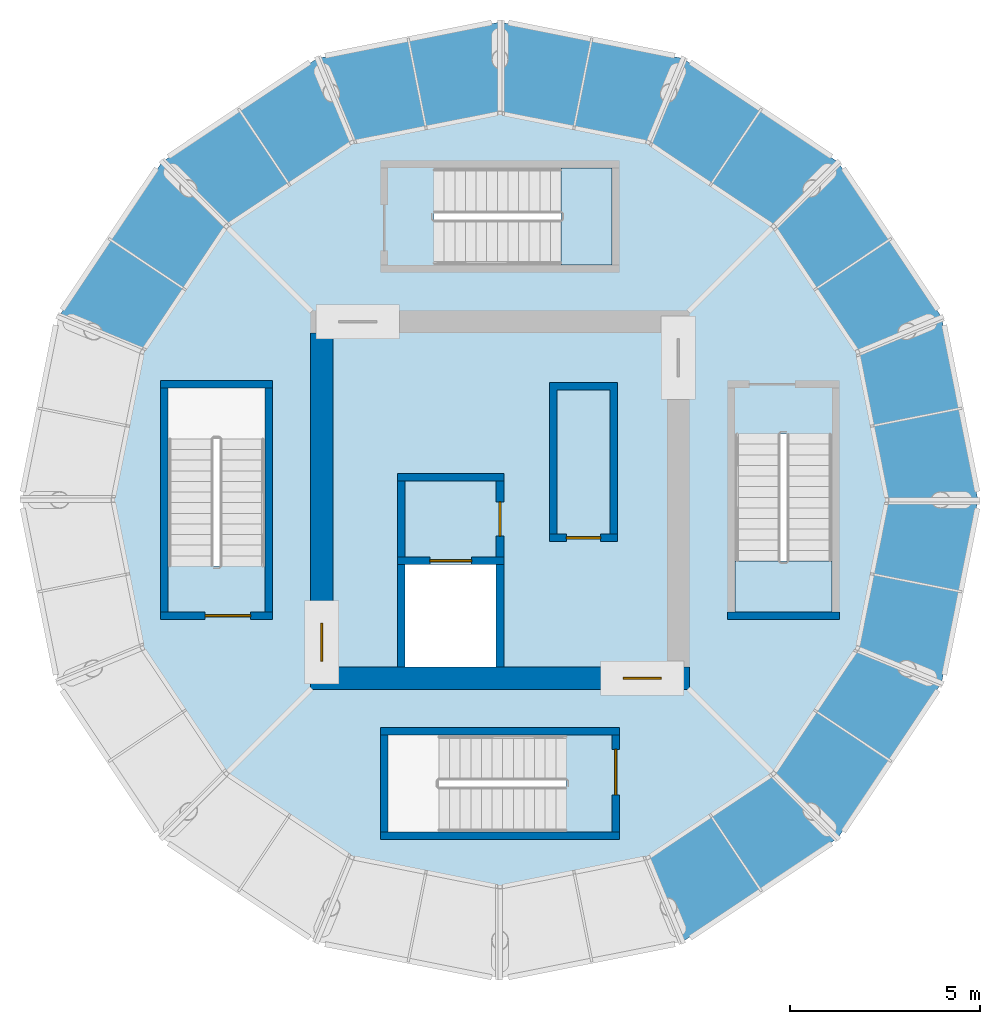
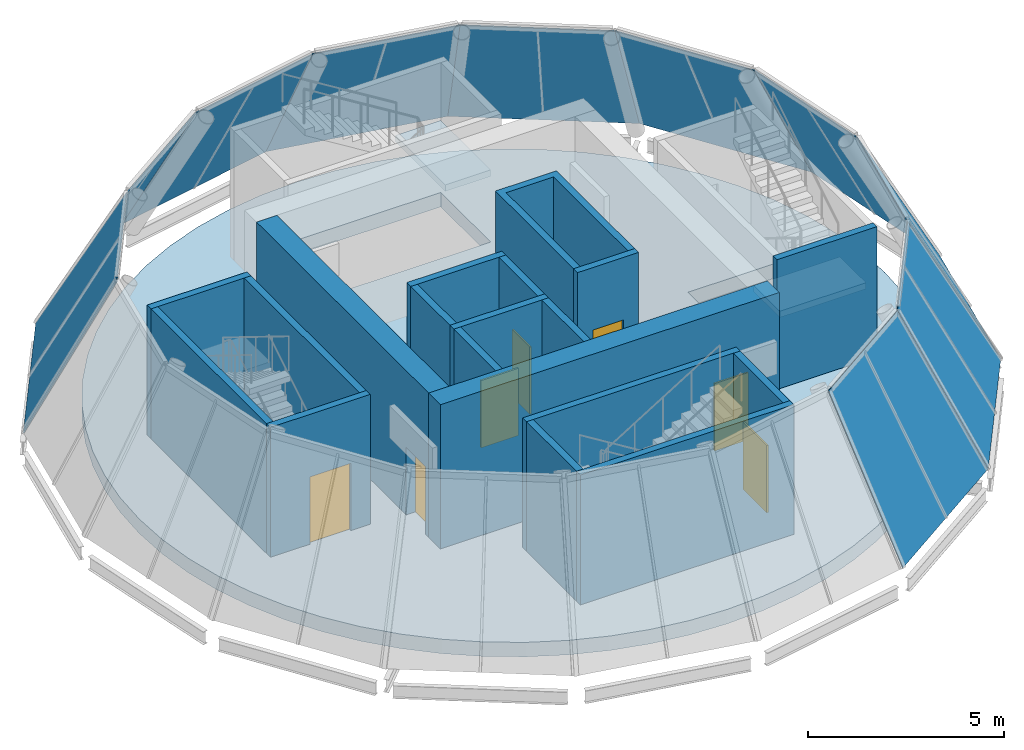
# One storey, part 3 of 5: 19 walls, 10 plates, 7 doors, 3 slabs, 7 openings, 12 elements without a shape of their own.
"""IFC4 building model written with IfcOpenShell, lengths in metres."""

from ifc_helpers import new_model, si_unit, direction, frame, frame_2d, origin, place, context, subcontext, project, spatial, polyline, rectangle, outline, extrude, material, layer, layer_set, type_object, element, fill, aggregate, save


model = new_model("IFC4")

# Units and contexts
model_context = context("Model", 3, precision=1e-05, world=origin(), true_north=direction((0.0, 1.0)))
body_context = subcontext(model_context, "Body", "Model", "MODEL_VIEW")
ifc_project = project(units=[si_unit("LENGTHUNIT", "METRE"), si_unit("AREAUNIT", "SQUARE_METRE"), si_unit("VOLUMEUNIT", "CUBIC_METRE"), si_unit("PLANEANGLEUNIT", "RADIAN"), si_unit("MASSUNIT", "GRAM", prefix="KILO")], contexts=[model_context])

# Site, building, storey
site_placement = place(None, origin())
site = spatial("IfcSite", under=ifc_project, at=site_placement, CompositionType="ELEMENT")
building_placement = place(site_placement, origin())
building = spatial("IfcBuilding", under=site, at=building_placement, Name="Corvane Civic Tower", CompositionType="ELEMENT")
storey_placement = place(building_placement, frame((0.0, 0.0, 402.0)))
storey = spatial("IfcBuildingStorey", under=building, at=storey_placement, Name="L95", CompositionType="ELEMENT", Elevation=402.0)

# Curtain wall, plate
ifc_material_1 = material(Name="Aluminium and glass", Category="aluminium")
curtain_wall_type = type_object("IfcCurtainWallType", Name="CROWN-CW-K-FACET", PredefinedType="NOTDEFINED", material=ifc_material_1)
curtain_wall_1_placement = place(storey_placement, origin())
curtain_wall_1 = element("IfcCurtainWall", 1, at=curtain_wall_1_placement, inside=storey, type_object=curtain_wall_type, Name="Glass cone facet 1 row 4", PredefinedType="NOTDEFINED")
ifc_material_2 = material(Name="Glass tinted low-e laminated", Category="glass")
ifc_layer_1 = layer(ifc_material_2, 0.030029296875)
ifc_layer_set_1 = layer_set([ifc_layer_1], Name="Glass tinted low-e laminated")
plate_type = type_object("IfcPlateType", Name="CROWN-CWK-PANEL-IGU30", PredefinedType="CURTAIN_PANEL", material=ifc_layer_set_1)
plate_1_placement = place(storey_placement, frame((0.0, 12.60009765625, 0.0), z_axis=(-0.172873929257, 0.869062946093, 0.463512891203), x_axis=(-0.980783186478, -0.195100848482, 6.634058e-06)))
plate_1 = element("IfcPlate", 2, at=plate_1_placement, type_object=plate_type, Name="Cone glass panel 1.4", PredefinedType="CURTAIN_PANEL", context=body_context, shape_type="SweptSolid", body=[
    extrude(outline(polyline([(0.0, 0.0), (4.916264444976267, 0.0), (4.448081299795176, 5.078456588373711), (0.46830046884297855, 5.078523192069519), (0.0, 0.0)])), origin(), (0.0, 0.0, -1.0), 0.030029296875),
])
aggregate(curtain_wall_1, [plate_1])

curtain_wall_2_placement = place(storey_placement, origin())
curtain_wall_2 = element("IfcCurtainWall", 3, at=curtain_wall_2_placement, inside=storey, type_object=curtain_wall_type, Name="Glass cone facet 2 row 4", PredefinedType="NOTDEFINED")
plate_2_placement = place(storey_placement, frame((-4.82177734375, 11.640869140625, 0.0), z_axis=(-0.492309451044, 0.736749787022, 0.463498819563), x_axis=(-0.831454372894, -0.555593039729, 4.48339e-07)))
plate_2 = element("IfcPlate", 4, at=plate_2_placement, type_object=plate_type, Name="Cone glass panel 2.4", PredefinedType="CURTAIN_PANEL", context=body_context, shape_type="SweptSolid", body=[
    extrude(outline(polyline([(0.0, 0.0), (4.91626354830362, 2.220446049250313e-16), (4.448122956740347, 5.078445453420645), (0.468255102484905, 5.0784499545976995), (0.0, 0.0)])), origin(), (0.0, 0.0, -1.0), 0.030029296875),
])
aggregate(curtain_wall_2, [plate_2])

curtain_wall_3_placement = place(storey_placement, origin())
curtain_wall_3 = element("IfcCurtainWall", 5, at=curtain_wall_3_placement, inside=storey, type_object=curtain_wall_type, Name="Glass cone facet 3 row 4", PredefinedType="NOTDEFINED")
plate_3_placement = place(storey_placement, frame((-8.909423828125, 8.909423828125, 0.0), z_axis=(-0.736749787022, 0.492309451044, 0.463498819563), x_axis=(-0.555593039729, -0.831454372894, -4.48339e-07)))
plate_3 = element("IfcPlate", 6, at=plate_3_placement, type_object=plate_type, Name="Cone glass panel 3.4", PredefinedType="CURTAIN_PANEL", context=body_context, shape_type="SweptSolid", body=[
    extrude(outline(polyline([(0.0, 0.0), (4.91626354830362, -2.220446049250313e-16), (4.448008445818715, 5.0784499545976995), (0.46814059156327315, 5.078445453420645), (0.0, 0.0)])), origin(), (0.0, 0.0, -1.0), 0.030029296875),
])
aggregate(curtain_wall_3, [plate_3])

curtain_wall_4_placement = place(storey_placement, origin())
curtain_wall_4 = element("IfcCurtainWall", 7, at=curtain_wall_4_placement, inside=storey, type_object=curtain_wall_type, Name="Glass cone facet 10 row 4", PredefinedType="NOTDEFINED")
plate_4_placement = place(storey_placement, frame((4.82177734375, -11.640869140625, 0.0), z_axis=(0.492309451044, -0.736749787022, 0.463498819563), x_axis=(0.831454372894, 0.555593039729, 4.48339e-07)))
plate_4 = element("IfcPlate", 8, at=plate_4_placement, type_object=plate_type, Name="Cone glass panel 10.4", PredefinedType="CURTAIN_PANEL", context=body_context, shape_type="SweptSolid", body=[
    extrude(outline(polyline([(0.0, 0.0), (4.91626354830362, 2.220446049250313e-16), (4.448122956740347, 5.078445453420645), (0.468255102484905, 5.0784499545976995), (0.0, 0.0)])), origin(), (0.0, 0.0, -1.0), 0.030029296875),
])
aggregate(curtain_wall_4, [plate_4])

curtain_wall_5_placement = place(storey_placement, origin())
curtain_wall_5 = element("IfcCurtainWall", 9, at=curtain_wall_5_placement, inside=storey, type_object=curtain_wall_type, Name="Glass cone facet 11 row 4", PredefinedType="NOTDEFINED")
plate_5_placement = place(storey_placement, frame((8.909423828125, -8.909423828125, 0.0), z_axis=(0.736749787022, -0.492309451044, 0.463498819563), x_axis=(0.555593039729, 0.831454372894, -4.48339e-07)))
plate_5 = element("IfcPlate", 10, at=plate_5_placement, type_object=plate_type, Name="Cone glass panel 11.4", PredefinedType="CURTAIN_PANEL", context=body_context, shape_type="SweptSolid", body=[
    extrude(outline(polyline([(0.0, 0.0), (4.91626354830362, -2.220446049250313e-16), (4.448008445818715, 5.0784499545976995), (0.46814059156327315, 5.078445453420645), (0.0, 0.0)])), origin(), (0.0, 0.0, -1.0), 0.030029296875),
])
aggregate(curtain_wall_5, [plate_5])

curtain_wall_6_placement = place(storey_placement, origin())
curtain_wall_6 = element("IfcCurtainWall", 11, at=curtain_wall_6_placement, inside=storey, type_object=curtain_wall_type, Name="Glass cone facet 12 row 4", PredefinedType="NOTDEFINED")
plate_6_placement = place(storey_placement, frame((11.640869140625, -4.82177734375, 0.0), z_axis=(0.869067789052, -0.172899210369, 0.463494380858), x_axis=(0.19512157593, 0.980779063086, 4.420688e-06)))
plate_6 = element("IfcPlate", 12, at=plate_6_placement, type_object=plate_type, Name="Cone glass panel 12.4", PredefinedType="CURTAIN_PANEL", context=body_context, shape_type="SweptSolid", body=[
    extrude(outline(polyline([(0.0, 0.0), (4.9162644452562025, -5.551115123125783e-17), (4.448011610959851, 5.0784122066361945), (0.46818314571430203, 5.078456588595548), (0.0, 0.0)])), origin(), (0.0, 0.0, -1.0), 0.030029296875),
])
aggregate(curtain_wall_6, [plate_6])

curtain_wall_7_placement = place(storey_placement, origin())
curtain_wall_7 = element("IfcCurtainWall", 13, at=curtain_wall_7_placement, inside=storey, type_object=curtain_wall_type, Name="Glass cone facet 13 row 4", PredefinedType="NOTDEFINED")
plate_7_placement = place(storey_placement, frame((12.60009765625, 0.0, 0.0), z_axis=(0.869062946093, 0.172873929257, 0.463512891203), x_axis=(-0.195100848482, 0.980783186478, 6.634058e-06)))
plate_7 = element("IfcPlate", 14, at=plate_7_placement, type_object=plate_type, Name="Cone glass panel 13.4", PredefinedType="CURTAIN_PANEL", context=body_context, shape_type="SweptSolid", body=[
    extrude(outline(polyline([(0.0, 0.0), (4.916264444976267, 0.0), (4.448081299795176, 5.078456588373711), (0.46830046884297855, 5.078523192069519), (0.0, 0.0)])), origin(), (0.0, 0.0, -1.0), 0.030029296875),
])
aggregate(curtain_wall_7, [plate_7])

curtain_wall_8_placement = place(storey_placement, origin())
curtain_wall_8 = element("IfcCurtainWall", 15, at=curtain_wall_8_placement, inside=storey, type_object=curtain_wall_type, Name="Glass cone facet 14 row 4", PredefinedType="NOTDEFINED")
plate_8_placement = place(storey_placement, frame((11.640869140625, 4.82177734375, 0.0), z_axis=(0.736749787022, 0.492309451044, 0.463498819563), x_axis=(-0.555593039729, 0.831454372894, 4.48339e-07)))
plate_8 = element("IfcPlate", 16, at=plate_8_placement, type_object=plate_type, Name="Cone glass panel 14.4", PredefinedType="CURTAIN_PANEL", context=body_context, shape_type="SweptSolid", body=[
    extrude(outline(polyline([(0.0, 0.0), (4.91626354830362, 2.220446049250313e-16), (4.448122956740347, 5.078445453420645), (0.468255102484905, 5.0784499545976995), (0.0, 0.0)])), origin(), (0.0, 0.0, -1.0), 0.030029296875),
])
aggregate(curtain_wall_8, [plate_8])

curtain_wall_9_placement = place(storey_placement, origin())
curtain_wall_9 = element("IfcCurtainWall", 17, at=curtain_wall_9_placement, inside=storey, type_object=curtain_wall_type, Name="Glass cone facet 15 row 4", PredefinedType="NOTDEFINED")
plate_9_placement = place(storey_placement, frame((8.909423828125, 8.909423828125, 0.0), z_axis=(0.492309451044, 0.736749787022, 0.463498819563), x_axis=(-0.831454372894, 0.555593039729, -4.48339e-07)))
plate_9 = element("IfcPlate", 18, at=plate_9_placement, type_object=plate_type, Name="Cone glass panel 15.4", PredefinedType="CURTAIN_PANEL", context=body_context, shape_type="SweptSolid", body=[
    extrude(outline(polyline([(0.0, 0.0), (4.91626354830362, -2.220446049250313e-16), (4.448008445818715, 5.0784499545976995), (0.46814059156327315, 5.078445453420645), (0.0, 0.0)])), origin(), (0.0, 0.0, -1.0), 0.030029296875),
])
aggregate(curtain_wall_9, [plate_9])

curtain_wall_10_placement = place(storey_placement, origin())
curtain_wall_10 = element("IfcCurtainWall", 19, at=curtain_wall_10_placement, inside=storey, type_object=curtain_wall_type, Name="Glass cone facet 16 row 4", PredefinedType="NOTDEFINED")
plate_10_placement = place(storey_placement, frame((4.82177734375, 11.640869140625, 0.0), z_axis=(0.172899210369, 0.869067789052, 0.463494380858), x_axis=(-0.980779063086, 0.19512157593, 4.420688e-06)))
plate_10 = element("IfcPlate", 20, at=plate_10_placement, type_object=plate_type, Name="Cone glass panel 16.4", PredefinedType="CURTAIN_PANEL", context=body_context, shape_type="SweptSolid", body=[
    extrude(outline(polyline([(0.0, 0.0), (4.9162644452562025, -5.551115123125783e-17), (4.448011610959851, 5.0784122066361945), (0.46818314571430203, 5.078456588595548), (0.0, 0.0)])), origin(), (0.0, 0.0, -1.0), 0.030029296875),
])
aggregate(curtain_wall_10, [plate_10])

# Stair, slab
ifc_material_3 = material(Name="Concrete C40/50", Category="concrete")
stair_type = type_object("IfcStairType", Name="ST-STAIR-HALFTURN", PredefinedType="HALF_TURN_STAIR", material=ifc_material_3)
stair_1_placement = place(storey_placement, origin())
stair_1 = element("IfcStair", 21, at=stair_1_placement, inside=storey, type_object=stair_type, Name="L95 Crown stair CS1", PredefinedType="HALF_TURN_STAIR")
ifc_material_4 = material(Name="Concrete C40/50", Category="concrete")
ifc_layer_2 = layer(ifc_material_4, 0.199951171875)
ifc_layer_set_2 = layer_set([ifc_layer_2], Name="Concrete C40/50")
slab_type_1 = type_object("IfcSlabType", Name="ST-LANDING-RC", PredefinedType="LANDING", material=ifc_layer_set_2)
slab_1_placement = place(storey_placement, frame((0.0, 0.0, 2.050048828125)))
slab_1 = element("IfcSlab", 22, at=slab_1_placement, type_object=slab_type_1, Name="CS1 landing 1", PredefinedType="LANDING", context=body_context, shape_type="SweptSolid", body=[
    extrude(outline(polyline([(6.199951171875, -1.610107421875), (6.199951171875, -2.949951171875), (8.75, -2.949951171875), (8.75, -1.610107421875), (6.199951171875, -1.610107421875)])), origin(), (0.0, 0.0, 1.0), 0.199951171875),
])
aggregate(stair_1, [slab_1])

stair_2_placement = place(storey_placement, origin())
stair_2 = element("IfcStair", 23, at=stair_2_placement, inside=storey, type_object=stair_type, Name="L95 Crown stair CS2", PredefinedType="HALF_TURN_STAIR")
slab_2_placement = place(storey_placement, frame((0.0, 0.0, 2.050048828125)))
slab_2 = element("IfcSlab", 24, at=slab_2_placement, type_object=slab_type_1, Name="CS2 landing 1", PredefinedType="LANDING", context=body_context, shape_type="SweptSolid", body=[
    extrude(outline(polyline([(1.610107421875, 6.199951171875), (2.949951171875, 6.199951171875), (2.949951171875, 8.75), (1.610107421875, 8.75), (1.610107421875, 6.199951171875)])), origin(), (0.0, 0.0, 1.0), 0.199951171875),
])
aggregate(stair_2, [slab_2])

# Slab
ifc_material_5 = material(Name="Concrete C50/60", Category="concrete")
ifc_layer_3 = layer(ifc_material_5, 0.449951171875)
ifc_layer_set_3 = layer_set([ifc_layer_3], Name="Concrete C50/60")
slab_type_2 = type_object("IfcSlabType", Name="TRANSFER FLOOR SLAB 450", PredefinedType="FLOOR", material=ifc_layer_set_3)
slab_3_placement = place(storey_placement, frame((0.0, 0.0, -0.449951171875)))
element("IfcSlab", 25, at=slab_3_placement, inside=storey, type_object=slab_type_2, Name="SLB-L95", PredefinedType="FLOOR", context=body_context, shape_type="SweptSolid", body=[
    extrude(outline(polyline([(0.0, 11.0), (-1.078125, 10.947021484375), (-2.14599609375, 10.78857421875), (-3.193115234375, 10.5263671875), (-4.20947265625, 10.16259765625), (-5.185302734375, 9.701171875), (-6.111328125, 9.146240234375), (-6.978271484375, 8.503173828125), (-7.778076171875, 7.778076171875), (-8.503173828125, 6.978271484375), (-9.146240234375, 6.111328125), (-9.701171875, 5.185302734375), (-10.16259765625, 4.20947265625), (-10.5263671875, 3.193115234375), (-10.78857421875, 2.14599609375), (-10.947021484375, 1.078125), (-11.0, 0.0), (-10.947021484375, -1.078125), (-10.78857421875, -2.14599609375), (-10.5263671875, -3.193115234375), (-10.16259765625, -4.20947265625), (-9.701171875, -5.185302734375), (-9.146240234375, -6.111328125), (-8.503173828125, -6.978271484375), (-7.778076171875, -7.778076171875), (-6.978271484375, -8.503173828125), (-6.111328125, -9.146240234375), (-5.185302734375, -9.701171875), (-4.20947265625, -10.16259765625), (-3.193115234375, -10.5263671875), (-2.14599609375, -10.78857421875), (-1.078125, -10.947021484375), (0.0, -11.0), (1.078125, -10.947021484375), (2.14599609375, -10.78857421875), (3.193115234375, -10.5263671875), (4.20947265625, -10.16259765625), (5.185302734375, -9.701171875), (6.111328125, -9.146240234375), (6.978271484375, -8.503173828125), (7.778076171875, -7.778076171875), (8.503173828125, -6.978271484375), (9.146240234375, -6.111328125), (9.701171875, -5.185302734375), (10.16259765625, -4.20947265625), (10.5263671875, -3.193115234375), (10.78857421875, -2.14599609375), (10.947021484375, -1.078125), (11.0, 0.0), (10.947021484375, 1.078125), (10.78857421875, 2.14599609375), (10.5263671875, 3.193115234375), (10.16259765625, 4.20947265625), (9.701171875, 5.185302734375), (9.146240234375, 6.111328125), (8.503173828125, 6.978271484375), (7.778076171875, 7.778076171875), (6.978271484375, 8.503173828125), (6.111328125, 9.146240234375), (5.185302734375, 9.701171875), (4.20947265625, 10.16259765625), (3.193115234375, 10.5263671875), (2.14599609375, 10.78857421875), (1.078125, 10.947021484375), (0.0, 11.0)]), holes=[polyline([(-2.5, -4.39990234375), (-2.5, -1.699951171875), (-0.10009765625, -1.699951171875), (-0.10009765625, -4.39990234375), (-2.5, -4.39990234375)]), polyline([(6.199951171875, 1.739990234375), (8.75, 1.739990234375), (8.75, -2.949951171875), (6.199951171875, -2.949951171875), (6.199951171875, 1.739990234375)]), polyline([(-1.739990234375, 6.199951171875), (-1.739990234375, 8.75), (2.949951171875, 8.75), (2.949951171875, 6.199951171875), (-1.739990234375, 6.199951171875)]), polyline([(-6.199951171875, -1.739990234375), (-8.75, -1.739990234375), (-8.75, 2.949951171875), (-6.199951171875, 2.949951171875), (-6.199951171875, -1.739990234375)]), polyline([(1.739990234375, -6.199951171875), (1.739990234375, -8.75), (-2.949951171875, -8.75), (-2.949951171875, -6.199951171875), (1.739990234375, -6.199951171875)])]), origin(), (0.0, 0.0, 1.0), 0.449951171875),
])

# Wall, opening, door
ifc_material_6 = material(Name="Concrete C40/50", Category="concrete")
ifc_layer_4 = layer(ifc_material_6, 0.60009765625)
ifc_layer_set_4 = layer_set([ifc_layer_4], Name="Concrete C40/50")
wall_type_1 = type_object("IfcWallType", Name="CORE WALL 600 C40/50", PredefinedType="SHEAR", material=ifc_layer_set_4)
wall_1_placement = place(storey_placement, frame((-5.0, -4.699951171875, 0.0), z_axis=(0.0, 0.0, 1.0), x_axis=(1.0, 0.0, 0.0)))
wall_1 = element("IfcWall", 26, at=wall_1_placement, inside=storey, type_object=wall_type_1, Name="W-L95-core-S", PredefinedType="SHEAR", context=body_context, shape_type="SweptSolid", body=[
    extrude(rectangle(XDim=10.0, YDim=0.60009765625, at=frame_2d((5.0, 0.0))), origin(), (0.0, 0.0, 1.0), 4.5),
])
opening_1_placement = place(wall_1_placement, frame((8.25, 0.0, 0.0)))
opening_1 = element("IfcOpeningElement", 27, at=opening_1_placement, cuts=wall_1, Name="Opening L95.C10", PredefinedType="OPENING", context=body_context, shape_type="SweptSolid", body=[
    extrude(rectangle(XDim=1.0, YDim=2.10009765625, at=frame_2d((0.5, 1.050048828125))), frame((0.0, 0.31005859375, 0.0), z_axis=(0.0, -1.0, 0.0), x_axis=(1.0, 0.0, 0.0)), (0.0, 0.0, 1.0), 0.6201171875),
])
ifc_material_7 = material(Name="Steel fire door leaf", Category="steel")
door_type_1 = type_object("IfcDoorType", Name="CR-DOOR-CORE-1800", OperationType="DOUBLE_DOOR_SINGLE_SWING", PredefinedType="DOOR", material=ifc_material_7)
door_1_placement = place(opening_1_placement, origin())
door_1 = element("IfcDoor", 28, at=door_1_placement, inside=storey, type_object=door_type_1, Name="L95 door", OperationType="DOUBLE_DOOR_SINGLE_SWING", OverallHeight=2.10009765625, OverallWidth=1.0, PredefinedType="DOOR", context=body_context, shape_type="SweptSolid", body=[
    extrude(rectangle(XDim=1.0, YDim=2.10009765625, at=frame_2d((0.5, 1.050048828125))), frame((0.0, 0.02490234375, 0.0), z_axis=(0.0, -1.0, 0.0), x_axis=(1.0, 0.0, 0.0)), (0.0, 0.0, 1.0), 0.050048828125),
])
fill(opening_1, door_1)

wall_2_placement = place(storey_placement, frame((-4.699951171875, -4.39990234375, 0.0), z_axis=(0.0, 0.0, 1.0), x_axis=(0.0, 1.0, 0.0)))
wall_2 = element("IfcWall", 29, at=wall_2_placement, inside=storey, type_object=wall_type_1, Name="W-L95-core-W", PredefinedType="SHEAR", context=body_context, shape_type="SweptSolid", body=[
    extrude(rectangle(XDim=8.7998046875, YDim=0.60009765625, at=frame_2d((4.39990234375, 0.0))), origin(), (0.0, 0.0, 1.0), 4.5),
])
opening_2_placement = place(wall_2_placement, frame((0.14990234375, 0.0, 0.0)))
opening_2 = element("IfcOpeningElement", 30, at=opening_2_placement, cuts=wall_2, Name="Opening L95.C09", PredefinedType="OPENING", context=body_context, shape_type="SweptSolid", body=[
    extrude(rectangle(XDim=1.0, YDim=2.10009765625, at=frame_2d((0.5, 1.050048828125))), frame((0.0, 0.31005859375, 0.0), z_axis=(0.0, -1.0, 0.0), x_axis=(1.0, 0.0, 0.0)), (0.0, 0.0, 1.0), 0.6201171875),
])
door_2_placement = place(opening_2_placement, origin())
door_2 = element("IfcDoor", 31, at=door_2_placement, inside=storey, type_object=door_type_1, Name="L95 door", OperationType="DOUBLE_DOOR_SINGLE_SWING", OverallHeight=2.10009765625, OverallWidth=1.0, PredefinedType="DOOR", context=body_context, shape_type="SweptSolid", body=[
    extrude(rectangle(XDim=1.0, YDim=2.10009765625, at=frame_2d((0.5, 1.050048828125))), frame((0.0, 0.02490234375, 0.0), z_axis=(0.0, -1.0, 0.0), x_axis=(1.0, 0.0, 0.0)), (0.0, 0.0, 1.0), 0.050048828125),
])
fill(opening_2, door_2)

ifc_material_8 = material(Name="Concrete C30/37", Category="concrete")
ifc_layer_5 = layer(ifc_material_8, 0.199951171875)
ifc_layer_set_5 = layer_set([ifc_layer_5], Name="Concrete C30/37")
wall_type_2 = type_object("IfcWallType", Name="CR-WALL-200", PredefinedType="PARTITIONING", material=ifc_layer_set_5)
wall_3_placement = place(storey_placement, frame((-2.699951171875, -1.60009765625, 0.0), z_axis=(0.0, 0.0, 1.0), x_axis=(1.0, 0.0, 0.0)))
wall_3 = element("IfcWall", 32, at=wall_3_placement, inside=storey, type_object=wall_type_2, Name="L95 lift shaft wall", PredefinedType="PARTITIONING", context=body_context, shape_type="SweptSolid", body=[
    extrude(rectangle(XDim=2.800048828125, YDim=0.199951171875, at=frame_2d((1.39990234375, 0.0))), origin(), (0.0, 0.0, 1.0), 4.050048828125),
])
opening_3_placement = place(wall_3_placement, frame((0.85009765625, 0.0, 0.0)))
opening_3 = element("IfcOpeningElement", 33, at=opening_3_placement, cuts=wall_3, Name="Opening LD", PredefinedType="OPENING", context=body_context, shape_type="SweptSolid", body=[
    extrude(rectangle(XDim=1.10009765625, YDim=2.10009765625, at=frame_2d((0.550048828125, 1.050048828125))), frame((0.0, 0.10986328125, 0.0), z_axis=(0.0, -1.0, 0.0), x_axis=(1.0, 0.0, 0.0)), (0.0, 0.0, 1.0), 0.219970703125),
])
ifc_material_9 = material(Name="Stainless steel 316 door leaves", Category="steel")
door_type_2 = type_object("IfcDoorType", Name="LD", OperationType="DOUBLE_DOOR_SLIDING", PredefinedType="DOOR", material=ifc_material_9)
door_3_placement = place(opening_3_placement, origin())
door_3 = element("IfcDoor", 34, at=door_3_placement, inside=storey, type_object=door_type_2, Name="L95 landing door", OperationType="DOUBLE_DOOR_SLIDING", OverallHeight=2.10009765625, OverallWidth=1.10009765625, PredefinedType="DOOR", context=body_context, shape_type="SweptSolid", body=[
    extrude(rectangle(XDim=1.10009765625, YDim=2.10009765625, at=frame_2d((0.550048828125, 1.050048828125))), frame((0.0, 0.02490234375, 0.0), z_axis=(0.0, -1.0, 0.0), x_axis=(1.0, 0.0, 0.0)), (0.0, 0.0, 1.0), 0.050048828125),
])
fill(opening_3, door_3)

wall_4_placement = place(storey_placement, frame((1.300048828125, -1.0, 0.0), z_axis=(0.0, 0.0, 1.0), x_axis=(1.0, 0.0, 0.0)))
wall_4 = element("IfcWall", 35, at=wall_4_placement, inside=storey, type_object=wall_type_2, Name="L95 core partition wall", PredefinedType="PARTITIONING", context=body_context, shape_type="SweptSolid", body=[
    extrude(rectangle(XDim=1.800048828125, YDim=0.199951171875, at=frame_2d((0.89990234375, 0.0))), origin(), (0.0, 0.0, 1.0), 4.050048828125),
])
opening_4_placement = place(wall_4_placement, frame((0.449951171875, 0.0, 0.0)))
opening_4 = element("IfcOpeningElement", 36, at=opening_4_placement, cuts=wall_4, Name="Opening L95.C02", PredefinedType="OPENING", context=body_context, shape_type="SweptSolid", body=[
    extrude(rectangle(XDim=0.89990234375, YDim=2.10009765625, at=frame_2d((0.449951171875, 1.050048828125))), frame((0.0, 0.10986328125, 0.0), z_axis=(0.0, -1.0, 0.0), x_axis=(1.0, 0.0, 0.0)), (0.0, 0.0, 1.0), 0.219970703125),
])
ifc_material_10 = material(Name="Steel fire door leaf", Category="steel")
door_type_3 = type_object("IfcDoorType", Name="CR-DOOR-900", OperationType="SINGLE_SWING_LEFT", PredefinedType="DOOR", material=ifc_material_10)
door_4_placement = place(opening_4_placement, origin())
door_4 = element("IfcDoor", 37, at=door_4_placement, inside=storey, type_object=door_type_3, Name="L95 door", OperationType="SINGLE_SWING_LEFT", OverallHeight=2.10009765625, OverallWidth=0.89990234375, PredefinedType="DOOR", context=body_context, shape_type="SweptSolid", body=[
    extrude(rectangle(XDim=0.89990234375, YDim=2.10009765625, at=frame_2d((0.449951171875, 1.050048828125))), frame((0.0, 0.02490234375, 0.0), z_axis=(0.0, -1.0, 0.0), x_axis=(1.0, 0.0, 0.0)), (0.0, 0.0, 1.0), 0.050048828125),
])
fill(opening_4, door_4)

wall_5_placement = place(storey_placement, frame((0.0, -1.5, 0.0), z_axis=(0.0, 0.0, 1.0), x_axis=(0.0, 1.0, 0.0)))
wall_5 = element("IfcWall", 38, at=wall_5_placement, inside=storey, type_object=wall_type_2, Name="L95 core partition wall", PredefinedType="PARTITIONING", context=body_context, shape_type="SweptSolid", body=[
    extrude(rectangle(XDim=2.0, YDim=0.199951171875, at=frame_2d((1.0, 0.0))), origin(), (0.0, 0.0, 1.0), 4.050048828125),
])
opening_5_placement = place(wall_5_placement, frame((0.550048828125, 0.0, 0.0)))
opening_5 = element("IfcOpeningElement", 39, at=opening_5_placement, cuts=wall_5, Name="Opening L95.C01", PredefinedType="OPENING", context=body_context, shape_type="SweptSolid", body=[
    extrude(rectangle(XDim=0.89990234375, YDim=2.10009765625, at=frame_2d((0.449951171875, 1.050048828125))), frame((0.0, 0.10986328125, 0.0), z_axis=(0.0, -1.0, 0.0), x_axis=(1.0, 0.0, 0.0)), (0.0, 0.0, 1.0), 0.219970703125),
])
door_5_placement = place(opening_5_placement, origin())
door_5 = element("IfcDoor", 40, at=door_5_placement, inside=storey, type_object=door_type_3, Name="L95 door", OperationType="SINGLE_SWING_LEFT", OverallHeight=2.10009765625, OverallWidth=0.89990234375, PredefinedType="DOOR", context=body_context, shape_type="SweptSolid", body=[
    extrude(rectangle(XDim=0.89990234375, YDim=2.10009765625, at=frame_2d((0.449951171875, 1.050048828125))), frame((0.0, 0.02490234375, 0.0), z_axis=(0.0, -1.0, 0.0), x_axis=(1.0, 0.0, 0.0)), (0.0, 0.0, 1.0), 0.050048828125),
])
fill(opening_5, door_5)

# Walls
wall_6_placement = place(storey_placement, origin())
element("IfcWall", 41, at=wall_6_placement, inside=storey, type_object=wall_type_2, Name="L95 core partition wall", PredefinedType="PARTITIONING", context=body_context, shape_type="SweptSolid", body=[
    extrude(outline(polyline([(0.10009765625, 0.699951171875), (0.10009765625, 0.5), (-2.699951171875, 0.5), (-2.699951171875, 0.699951171875), (0.10009765625, 0.699951171875)])), origin(), (0.0, 0.0, 1.0), 4.050048828125),
])
wall_7_placement = place(storey_placement, origin())
element("IfcWall", 42, at=wall_7_placement, inside=storey, type_object=wall_type_2, Name="L95 core partition wall", PredefinedType="PARTITIONING", context=body_context, shape_type="SweptSolid", body=[
    extrude(outline(polyline([(-2.5, -1.5), (-2.699951171875, -1.5), (-2.699951171875, 0.5), (-2.5, 0.5), (-2.5, -1.5)])), origin(), (0.0, 0.0, 1.0), 4.050048828125),
])
wall_8_placement = place(storey_placement, origin())
element("IfcWall", 43, at=wall_8_placement, inside=storey, type_object=wall_type_2, Name="L95 core partition wall", PredefinedType="PARTITIONING", context=body_context, shape_type="SweptSolid", body=[
    extrude(outline(polyline([(-2.5, -4.39990234375), (-2.699951171875, -4.39990234375), (-2.699951171875, -1.699951171875), (-2.5, -1.699951171875), (-2.5, -4.39990234375)])), origin(), (0.0, 0.0, 1.0), 4.050048828125),
])
wall_9_placement = place(storey_placement, origin())
element("IfcWall", 44, at=wall_9_placement, inside=storey, type_object=wall_type_2, Name="L95 core partition wall", PredefinedType="PARTITIONING", context=body_context, shape_type="SweptSolid", body=[
    extrude(outline(polyline([(-0.10009765625, -4.39990234375), (-0.10009765625, -1.699951171875), (0.10009765625, -1.699951171875), (0.10009765625, -4.39990234375), (-0.10009765625, -4.39990234375)])), origin(), (0.0, 0.0, 1.0), 4.050048828125),
])
wall_10_placement = place(storey_placement, origin())
element("IfcWall", 45, at=wall_10_placement, inside=storey, type_object=wall_type_2, Name="L95 core partition wall", PredefinedType="PARTITIONING", context=body_context, shape_type="SweptSolid", body=[
    extrude(outline(polyline([(1.300048828125, -0.89990234375), (1.300048828125, 3.10009765625), (3.10009765625, 3.10009765625), (3.10009765625, -0.89990234375), (2.89990234375, -0.89990234375), (2.89990234375, 2.89990234375), (1.5, 2.89990234375), (1.5, -0.89990234375), (1.300048828125, -0.89990234375)])), origin(), (0.0, 0.0, 1.0), 4.050048828125),
])

# Wall, opening, door
ifc_material_11 = material(Name="Concrete C50/60", Category="concrete")
ifc_layer_6 = layer(ifc_material_11, 0.199951171875)
ifc_layer_set_6 = layer_set([ifc_layer_6], Name="Concrete C50/60")
wall_type_3 = type_object("IfcWallType", Name="ST-WALL-200", PredefinedType="SHEAR", material=ifc_layer_set_6)
wall_11_placement = place(storey_placement, frame((-8.949951171875, -3.050048828125, 0.0), z_axis=(0.0, 0.0, 1.0), x_axis=(1.0, 0.0, 0.0)))
wall_11 = element("IfcWall", 46, at=wall_11_placement, inside=storey, type_object=wall_type_3, Name="L95 stair enclosure wall", PredefinedType="SHEAR", context=body_context, shape_type="SweptSolid", body=[
    extrude(rectangle(XDim=2.949951171875, YDim=0.199951171875, at=frame_2d((1.47509765625, 0.0))), origin(), (0.0, 0.0, 1.0), 4.050048828125),
])
opening_6_placement = place(wall_11_placement, frame((1.175048828125, 0.0, 0.0)))
opening_6 = element("IfcOpeningElement", 47, at=opening_6_placement, cuts=wall_11, Name="Opening L95.C05", PredefinedType="OPENING", context=body_context, shape_type="SweptSolid", body=[
    extrude(rectangle(XDim=1.199951171875, YDim=2.10009765625, at=frame_2d((0.60009765625, 1.050048828125))), frame((0.0, 0.10986328125, 0.0), z_axis=(0.0, -1.0, 0.0), x_axis=(1.0, 0.0, 0.0)), (0.0, 0.0, 1.0), 0.219970703125),
])
ifc_material_12 = material(Name="Steel fire door leaf", Category="steel")
door_type_4 = type_object("IfcDoorType", Name="ST-DOOR-1200", OperationType="SINGLE_SWING_RIGHT", PredefinedType="DOOR", material=ifc_material_12)
door_6_placement = place(opening_6_placement, origin())
door_6 = element("IfcDoor", 48, at=door_6_placement, inside=storey, type_object=door_type_4, Name="L95 stair door", OperationType="SINGLE_SWING_RIGHT", OverallHeight=2.10009765625, OverallWidth=1.199951171875, PredefinedType="DOOR", context=body_context, shape_type="SweptSolid", body=[
    extrude(rectangle(XDim=1.199951171875, YDim=2.10009765625, at=frame_2d((0.60009765625, 1.050048828125))), frame((0.0, 0.02490234375, 0.0), z_axis=(0.0, -1.0, 0.0), x_axis=(1.0, 0.0, 0.0)), (0.0, 0.0, 1.0), 0.050048828125),
])
fill(opening_6, door_6)

wall_12_placement = place(storey_placement, frame((3.050048828125, -8.75, 0.0), z_axis=(0.0, 0.0, 1.0), x_axis=(0.0, 1.0, 0.0)))
wall_12 = element("IfcWall", 49, at=wall_12_placement, inside=storey, type_object=wall_type_3, Name="L95 stair enclosure wall", PredefinedType="SHEAR", context=body_context, shape_type="SweptSolid", body=[
    extrude(rectangle(XDim=2.550048828125, YDim=0.199951171875, at=frame_2d((1.27490234375, 0.0))), origin(), (0.0, 0.0, 1.0), 4.050048828125),
])
opening_7_placement = place(wall_12_placement, frame((0.97509765625, 0.0, 0.0)))
opening_7 = element("IfcOpeningElement", 50, at=opening_7_placement, cuts=wall_12, Name="Opening L95.C06", PredefinedType="OPENING", context=body_context, shape_type="SweptSolid", body=[
    extrude(rectangle(XDim=1.199951171875, YDim=2.10009765625, at=frame_2d((0.60009765625, 1.050048828125))), frame((0.0, 0.10986328125, 0.0), z_axis=(0.0, -1.0, 0.0), x_axis=(1.0, 0.0, 0.0)), (0.0, 0.0, 1.0), 0.219970703125),
])
door_7_placement = place(opening_7_placement, origin())
door_7 = element("IfcDoor", 51, at=door_7_placement, inside=storey, type_object=door_type_4, Name="L95 stair door", OperationType="SINGLE_SWING_RIGHT", OverallHeight=2.10009765625, OverallWidth=1.199951171875, PredefinedType="DOOR", context=body_context, shape_type="SweptSolid", body=[
    extrude(rectangle(XDim=1.199951171875, YDim=2.10009765625, at=frame_2d((0.60009765625, 1.050048828125))), frame((0.0, 0.02490234375, 0.0), z_axis=(0.0, -1.0, 0.0), x_axis=(1.0, 0.0, 0.0)), (0.0, 0.0, 1.0), 0.050048828125),
])
fill(opening_7, door_7)

# Walls
wall_13_placement = place(storey_placement, origin())
element("IfcWall", 52, at=wall_13_placement, inside=storey, type_object=wall_type_3, Name="L95 stair enclosure wall", PredefinedType="SHEAR", context=body_context, shape_type="SweptSolid", body=[
    extrude(outline(polyline([(3.14990234375, -8.75), (3.14990234375, -8.949951171875), (-3.14990234375, -8.949951171875), (-3.14990234375, -8.75), (3.14990234375, -8.75)])), origin(), (0.0, 0.0, 1.0), 4.050048828125),
])
wall_14_placement = place(storey_placement, origin())
element("IfcWall", 53, at=wall_14_placement, inside=storey, type_object=wall_type_3, Name="L95 stair enclosure wall", PredefinedType="SHEAR", context=body_context, shape_type="SweptSolid", body=[
    extrude(outline(polyline([(3.14990234375, -6.199951171875), (-3.14990234375, -6.199951171875), (-3.14990234375, -6.0), (3.14990234375, -6.0), (3.14990234375, -6.199951171875)])), origin(), (0.0, 0.0, 1.0), 4.050048828125),
])
wall_15_placement = place(storey_placement, origin())
element("IfcWall", 54, at=wall_15_placement, inside=storey, type_object=wall_type_3, Name="L95 stair enclosure wall", PredefinedType="SHEAR", context=body_context, shape_type="SweptSolid", body=[
    extrude(outline(polyline([(-8.75, 2.949951171875), (-8.75, -2.949951171875), (-8.949951171875, -2.949951171875), (-8.949951171875, 2.949951171875), (-8.75, 2.949951171875)])), origin(), (0.0, 0.0, 1.0), 4.050048828125),
])
wall_16_placement = place(storey_placement, origin())
element("IfcWall", 55, at=wall_16_placement, inside=storey, type_object=wall_type_3, Name="L95 stair enclosure wall", PredefinedType="SHEAR", context=body_context, shape_type="SweptSolid", body=[
    extrude(outline(polyline([(-6.0, 2.949951171875), (-6.0, -2.949951171875), (-6.199951171875, -2.949951171875), (-6.199951171875, 2.949951171875), (-6.0, 2.949951171875)])), origin(), (0.0, 0.0, 1.0), 4.050048828125),
])
wall_17_placement = place(storey_placement, origin())
element("IfcWall", 56, at=wall_17_placement, inside=storey, type_object=wall_type_3, Name="L95 stair enclosure wall", PredefinedType="SHEAR", context=body_context, shape_type="SweptSolid", body=[
    extrude(outline(polyline([(-6.0, 2.9501953125), (-6.2001953125, 2.949951171875), (-8.949951171875, 2.9501953125), (-8.949951171875, 3.14990234375), (-6.0, 3.14990234375), (-6.0, 2.9501953125)])), origin(), (0.0, 0.0, 1.0), 4.050048828125),
])
wall_18_placement = place(storey_placement, origin())
element("IfcWall", 57, at=wall_18_placement, inside=storey, type_object=wall_type_3, Name="L95 stair enclosure wall", PredefinedType="SHEAR", context=body_context, shape_type="SweptSolid", body=[
    extrude(outline(polyline([(8.949951171875, -3.14990234375), (6.0, -3.14990234375), (6.0, -2.9501953125), (6.2001953125, -2.949951171875), (8.949951171875, -2.9501953125), (8.949951171875, -3.14990234375)])), origin(), (0.0, 0.0, 1.0), 4.050048828125),
])
wall_19_placement = place(storey_placement, origin())
element("IfcWall", 58, at=wall_19_placement, inside=storey, type_object=wall_type_3, Name="L95 stair enclosure wall", PredefinedType="SHEAR", context=body_context, shape_type="SweptSolid", body=[
    extrude(outline(polyline([(-2.949951171875, -8.75), (-3.14990234375, -8.75), (-3.14990234375, -6.2001953125), (-2.949951171875, -6.2001953125), (-2.949951171875, -8.75)])), origin(), (0.0, 0.0, 1.0), 4.050048828125),
])

save(model, "model.ifc")
